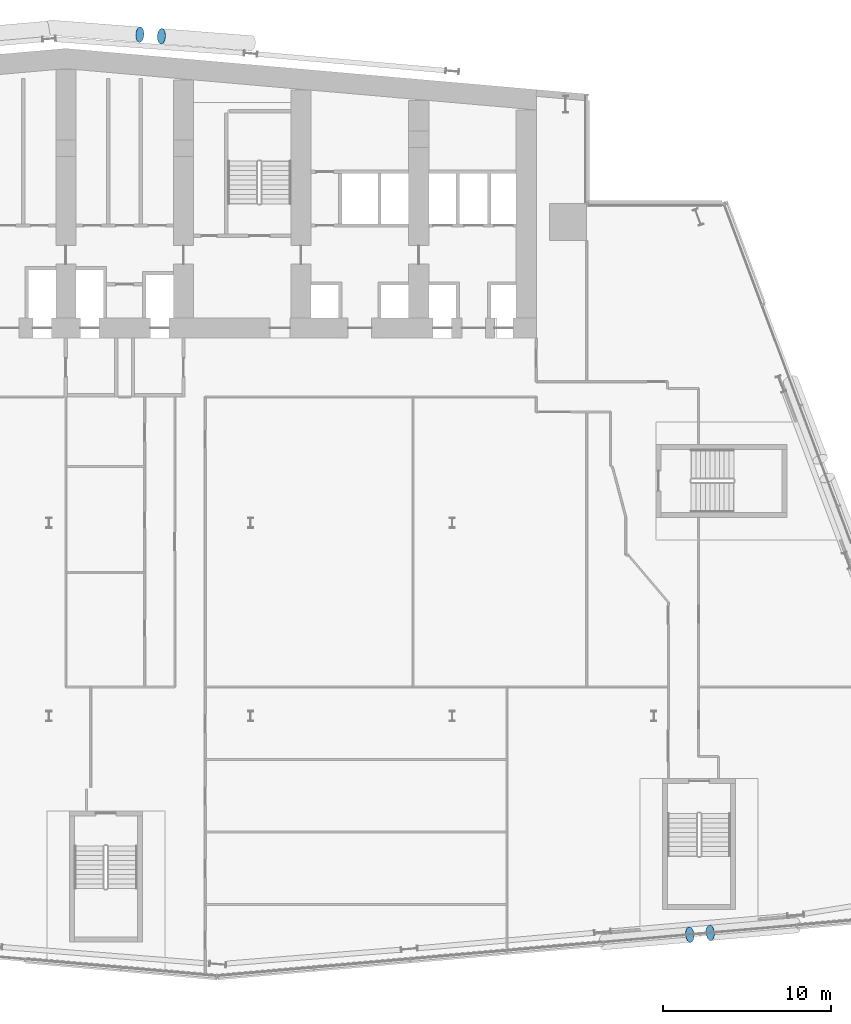
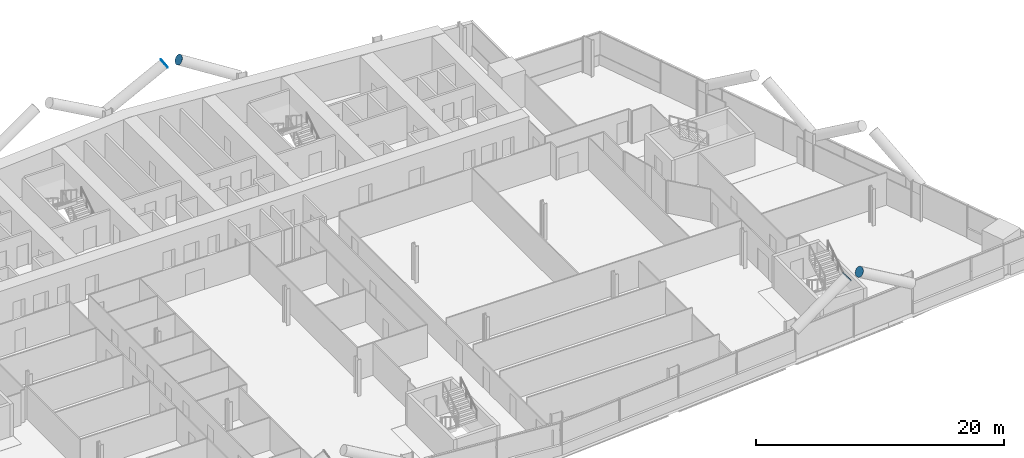
# One storey, part 22 of 27: 4 discrete accessories.
"""IFC4 building model written with IfcOpenShell, lengths in metres."""

from ifc_helpers import new_model, si_unit, direction, frame, origin, origin_2d, place, context, subcontext, project, spatial, circle, extrude, material, material_profile, profile_set, type_object, element, save


model = new_model("IFC4")

# Units and contexts
model_context = context("Model", 3, precision=1e-05, world=origin(), true_north=direction((0.0, 1.0)))
body_context = subcontext(model_context, "Body", "Model", "MODEL_VIEW")
ifc_project = project(units=[si_unit("LENGTHUNIT", "METRE"), si_unit("AREAUNIT", "SQUARE_METRE"), si_unit("VOLUMEUNIT", "CUBIC_METRE"), si_unit("PLANEANGLEUNIT", "RADIAN"), si_unit("MASSUNIT", "GRAM", prefix="KILO")], contexts=[model_context])

# Site, building, storey
site_placement = place(None, origin())
site = spatial("IfcSite", under=ifc_project, at=site_placement, CompositionType="ELEMENT")
building_placement = place(site_placement, origin())
building = spatial("IfcBuilding", under=site, at=building_placement, Name="Wharfspan Tower", CompositionType="ELEMENT")
storey_placement = place(building_placement, frame((0.0, 0.0, 73.899902)))
storey = spatial("IfcBuildingStorey", under=building, at=storey_placement, Name="L15", CompositionType="ELEMENT", Elevation=73.899902)

# Discrete accessories
ifc_material = material(Name="Steel S460NH", Category="steel")
ifc_material_profile = material_profile(ifc_material, circle(Radius=0.457031, at=origin_2d()))
ifc_profile_set = profile_set([ifc_material_profile], Name="Steel S460NH")
discrete_accessory_type = type_object("IfcDiscreteAccessoryType", Name="End plate CHS 914x40", PredefinedType="BRACKET", material=ifc_profile_set)
for number, where, z_axis, x_axis, name in (
    (1, (74.12915, -1.508301, 6.114258), (0.837276, 0.073877, 0.541767), (-0.087893, 0.996132, -1e-06), "End plate CHS 914x40"),
    (2, (75.361328, -1.400391, 6.114258), (-0.844416, -0.072379, 0.530776), (0.085402, -0.99635, 0.0), "End plate CHS 914x40"),
    (3, (41.396484, 52.060791, 6.109863), (0.856465, -0.048941, 0.513879), (0.05705, 0.998372, 0.0), "End plate CHS 914x40"),
    (4, (42.696533, 51.959961, 6.109863), (-0.856465, 0.048941, 0.513879), (-0.05705, -0.998372, 0.0), "End plate CHS 914x40"),
):
    element("IfcDiscreteAccessory", number, at=place(storey_placement, frame(where, z_axis=z_axis, x_axis=x_axis)), inside=storey, type_object=discrete_accessory_type, Name=name, PredefinedType="BRACKET", context=body_context, shape_type="SweptSolid", body=[
        extrude(circle(Radius=0.457031, at=origin_2d()), origin(), (0.0, 0.0, 1.0), 0.01001),
    ])

save(model, "model.ifc")
